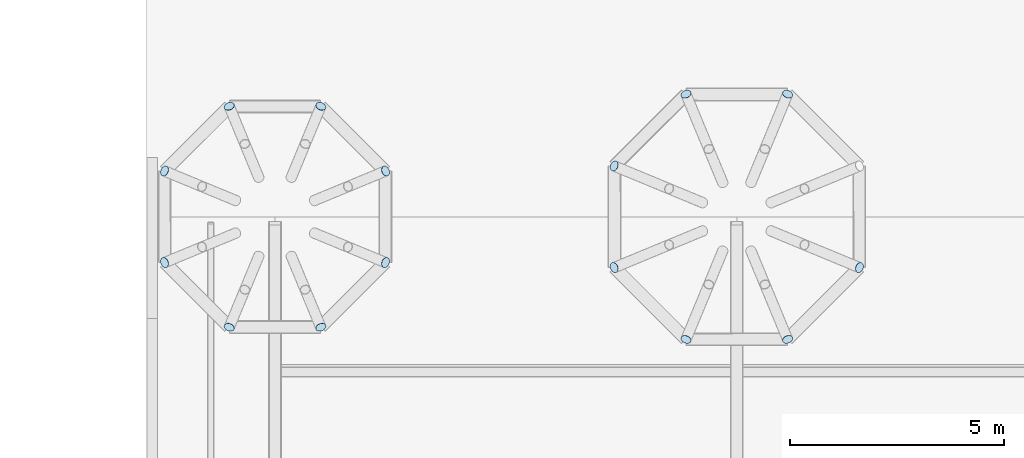
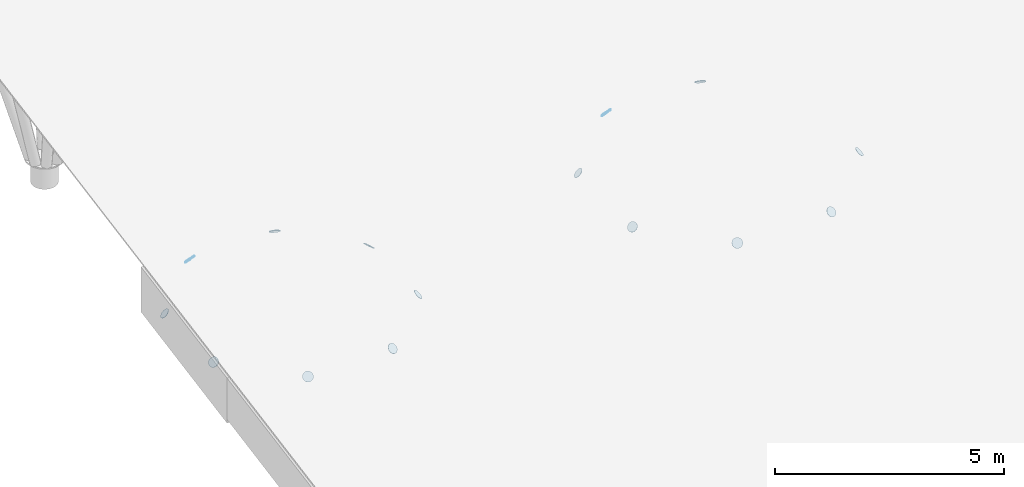
# One storey, part 35 of 56: 15 plates.
"""IFC4 building model written with IfcOpenShell, lengths in metres."""

from ifc_helpers import new_model, si_unit, direction, frame, origin, origin_2d, place, context, subcontext, project, spatial, circle, extrude, material, material_profile, profile_set, type_object, element, save


model = new_model("IFC4")

# Units and contexts
model_context = context("Model", 3, precision=1e-05, world=origin(), true_north=direction((0.0, 1.0)))
body_context = subcontext(model_context, "Body", "Model", "MODEL_VIEW")
ifc_project = project(units=[si_unit("LENGTHUNIT", "METRE"), si_unit("AREAUNIT", "SQUARE_METRE"), si_unit("VOLUMEUNIT", "CUBIC_METRE"), si_unit("PLANEANGLEUNIT", "RADIAN"), si_unit("MASSUNIT", "GRAM", prefix="KILO")], contexts=[model_context])

# Site, building, storey
site_placement = place(None, origin())
site = spatial("IfcSite", under=ifc_project, at=site_placement, CompositionType="ELEMENT")
building_placement = place(site_placement, origin())
building = spatial("IfcBuilding", under=site, at=building_placement, Name="Magnolia Steps Interchange", CompositionType="ELEMENT")
storey_placement = place(building_placement, frame((0.0, 0.0, 8.699951171875)))
storey = spatial("IfcBuildingStorey", under=building, at=storey_placement, Name="L02", CompositionType="ELEMENT", Elevation=8.699951171875)

# Plates
ifc_material = material(Name="Steel Q355B", Category="steel")
ifc_material_profile = material_profile(ifc_material, circle(Radius=0.12255859375, at=origin_2d()), Name="End plate CHS245x12")
ifc_profile_set = profile_set([ifc_material_profile], Name="Steel Q355B")
plate_type = type_object("IfcPlateType", Name="End plate CHS245x12", PredefinedType="SHEET", material=ifc_profile_set)
for number, where, z_axis, x_axis, name in (
    (1, (55.780029296875, 54.268798828125, 3.2744140625), (0.664583318381, 0.275279424158, 0.694658370398), (-0.382683432789, 0.923879532336, 0.0), "End plate Tree rib"),
    (2, (54.268798828125, 55.780029296875, 3.2744140625), (0.275279424158, 0.664583318381, 0.694658370398), (-0.923879532336, 0.382683432789, 0.0), "End plate Tree rib"),
    (3, (52.13134765625, 55.780029296875, 3.2744140625), (-0.275279424158, 0.664583318381, 0.694658370398), (-0.923879532336, -0.382683432789, 0.0), "End plate Tree rib"),
    (4, (50.6201171875, 54.268798828125, 3.2744140625), (-0.664583318381, 0.275279424158, 0.694658370398), (-0.382683432789, -0.923879532336, 0.0), "End plate Tree rib"),
    (5, (50.6201171875, 52.13134765625, 3.2744140625), (-0.664583318381, -0.275279424158, 0.694658370398), (0.382683432789, -0.923879532336, 0.0), "End plate Tree rib"),
    (6, (52.13134765625, 50.6201171875, 3.2744140625), (-0.275279424158, -0.664583318381, 0.694658370398), (0.923879532336, -0.382683432789, 0.0), "End plate Tree rib"),
    (7, (54.268798828125, 50.6201171875, 3.2744140625), (0.275279424158, -0.664583318381, 0.694658370398), (0.923879532336, 0.382683432789, 0.0), "End plate Tree rib"),
    (8, (55.780029296875, 52.13134765625, 3.2744140625), (0.664583318381, -0.275279424158, 0.694658370398), (0.382683432789, 0.923879532336, 0.0), "End plate Tree rib"),
    (9, (65.186279296875, 56.06396484375, 3.2744140625), (0.275279424158, 0.664583318381, 0.694658370398), (-0.923879532336, 0.382683432789, 0.0), "End plate Tree rib"),
    (10, (62.813720703125, 56.06396484375, 3.2744140625), (-0.275279424158, 0.664583318381, 0.694658370398), (-0.923879532336, -0.382683432789, 0.0), "End plate Tree rib"),
    (11, (61.135986328125, 54.38623046875, 3.2744140625), (-0.664583318381, 0.275279424158, 0.694658370398), (-0.382683432789, -0.923879532336, 0.0), "End plate Tree rib"),
    (12, (61.135986328125, 52.013671875, 3.2744140625), (-0.664583318381, -0.275279424158, 0.694658370398), (0.382683432789, -0.923879532336, 0.0), "End plate Tree rib"),
    (13, (62.813720703125, 50.3359375, 3.2744140625), (-0.275279424158, -0.664583318381, 0.694658370398), (0.923879532336, -0.382683432789, 0.0), "End plate Tree rib"),
    (14, (65.186279296875, 50.3359375, 3.2744140625), (0.275279424158, -0.664583318381, 0.694658370398), (0.923879532336, 0.382683432789, 0.0), "End plate Tree rib"),
    (15, (66.864013671875, 52.013671875, 3.2744140625), (0.664583318381, -0.275279424158, 0.694658370398), (0.382683432789, 0.923879532336, 0.0), "End plate Tree rib"),
):
    element("IfcPlate", number, at=place(storey_placement, frame(where, z_axis=z_axis, x_axis=x_axis)), inside=storey, type_object=plate_type, Name=name, PredefinedType="SHEET", context=body_context, shape_type="SweptSolid", body=[
        extrude(circle(Radius=0.12255859375, at=origin_2d()), origin(), (0.0, 0.0, 1.0), 0.008056640625),
    ])

save(model, "model.ifc")
